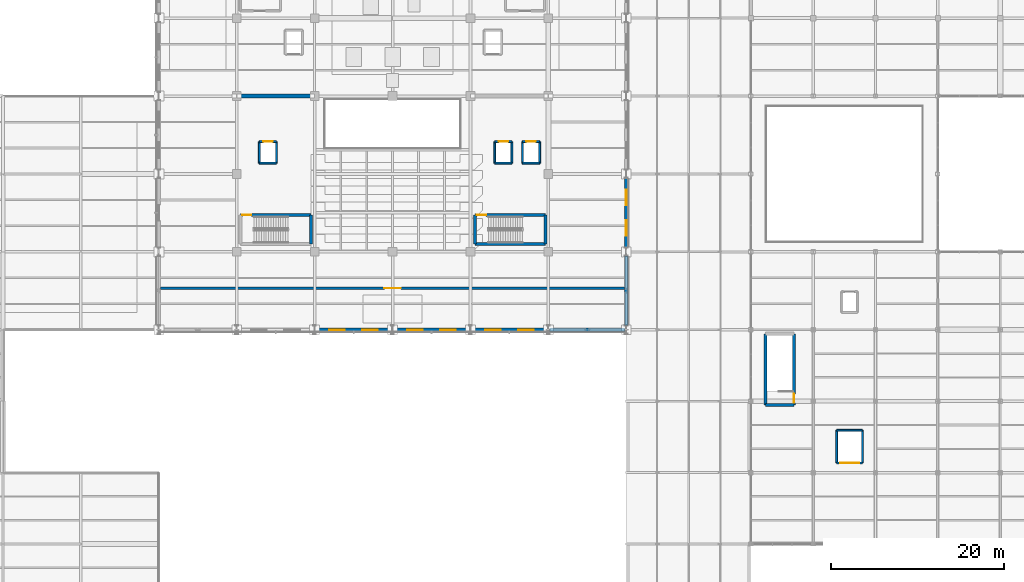
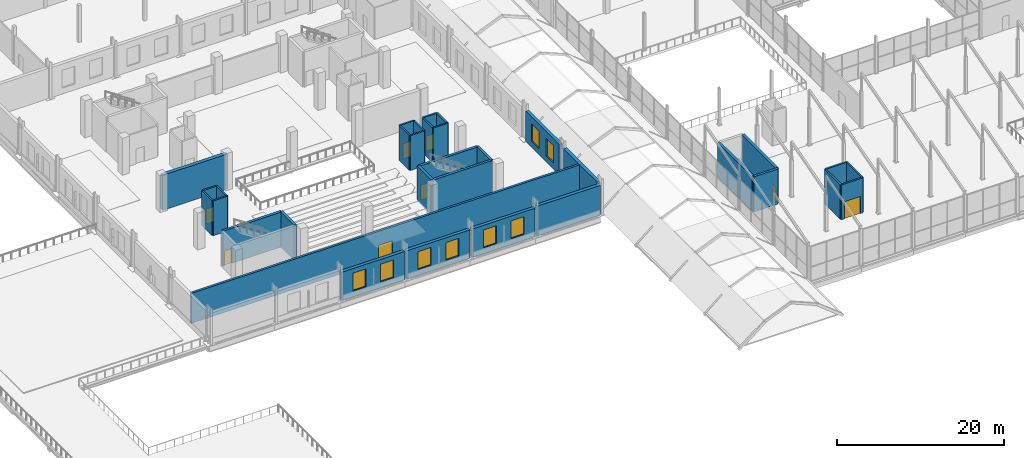
# One storey, part 117 of 141: 33 walls, 8 doors, 8 windows, 16 openings.
"""IFC4 building model written with IfcOpenShell, lengths in metres."""

import ifcopenshell
import ifcopenshell.guid

model = None  # the IFC model being written
_history = None  # IfcOwnerHistory: only IFC2X3 demands one
_inside = {}  # id of a spatial element -> (the spatial element, [elements in it])
_under = {}  # id of a project, library or spatial element -> (it, [spatial elements below it])
_declared = {}  # id of a project -> (the project, [libraries it declares])
_typed = {}  # id of a type object -> (the type object, [elements of that type])
_made_of = {}  # id of a material, layer set ... -> (it, [elements and type objects made of it])


def new_model(schema):
    """Start an empty IFC model of exactly this schema.

    Asked for "IFC4X3", IfcOpenShell would pick the latest addendum, in which some entities
    have other attributes; the version numbers below select the first issue.
    IFC2X3 requires an IfcOwnerHistory on every rooted entity: one is made here for all.
    """
    global model, _history
    if schema == "IFC4X3":
        model = ifcopenshell.file(schema_version=(4, 3, 0, 0))
    else:
        model = ifcopenshell.file(schema=schema)
    _inside.clear()
    _under.clear()
    _declared.clear()
    _typed.clear()
    _made_of.clear()
    _history = None
    if model.schema == "IFC2X3":
        org = make("IfcOrganization", Name="unknown")
        user = make(
            "IfcPersonAndOrganization",
            ThePerson=make("IfcPerson", FamilyName="unknown"),
            TheOrganization=org,
        )
        app = make(
            "IfcApplication",
            ApplicationDeveloper=org,
            Version="unknown",
            ApplicationFullName="unknown",
            ApplicationIdentifier="unknown",
        )
        _history = make(
            "IfcOwnerHistory",
            OwningUser=user,
            OwningApplication=app,
            ChangeAction="ADDED",
            CreationDate=0,
        )
    return model


def make(cls, **values):
    """One entity of the class cls with the attributes given. An attribute that is None is left unset."""
    return model.create_entity(
        cls, **{name: value for name, value in values.items() if value is not None}
    )


def rooted(cls, **values):
    """An entity with a GlobalId (a new one), such as an element, a storey or a relation."""
    return make(cls, GlobalId=ifcopenshell.guid.new(), OwnerHistory=_history, **values)


def si_unit(unit_type, name, prefix=None):
    """IfcSIUnit, for example si_unit("LENGTHUNIT", "METRE", prefix="MILLI")."""
    return make("IfcSIUnit", UnitType=unit_type, Prefix=prefix, Name=name)


def assignment(units):
    """IfcUnitAssignment: the units of a project."""
    return None if units is None else make("IfcUnitAssignment", Units=units)


def point(xyz):
    """IfcCartesianPoint."""
    return None if xyz is None else make("IfcCartesianPoint", Coordinates=xyz)


def direction(xyz):
    """IfcDirection."""
    return None if xyz is None else make("IfcDirection", DirectionRatios=xyz)


def frame(location, z_axis=None, x_axis=None):
    """IfcAxis2Placement3D, a coordinate frame: its origin and axes. An axis left out is left unset."""
    return make(
        "IfcAxis2Placement3D",
        Location=point(location),
        Axis=direction(z_axis),
        RefDirection=direction(x_axis),
    )


def frame_2d(location, x_axis=None):
    """IfcAxis2Placement2D, a coordinate frame in the plane: its origin and x axis."""
    return make(
        "IfcAxis2Placement2D", Location=point(location), RefDirection=direction(x_axis)
    )


def origin():
    """The frame at (0, 0, 0) with its axes left unset."""
    return frame((0.0, 0.0, 0.0))


def place(relative_to, where):
    """IfcLocalPlacement: puts the frame where relative to a parent placement (None: the world)."""
    return make(
        "IfcLocalPlacement", PlacementRelTo=relative_to, RelativePlacement=where
    )


def context(
    kind, dimensions, precision=None, world=None, true_north=None, identifier=None
):
    """IfcGeometricRepresentationContext, for example the 3D "Model" context."""
    return make(
        "IfcGeometricRepresentationContext",
        ContextIdentifier=identifier,
        ContextType=kind,
        CoordinateSpaceDimension=dimensions,
        Precision=precision,
        WorldCoordinateSystem=world,
        TrueNorth=true_north,
    )


def subcontext(parent, identifier, kind, view, scale=None):
    """IfcGeometricRepresentationSubContext, for example "Body" below "Model"."""
    return make(
        "IfcGeometricRepresentationSubContext",
        ContextIdentifier=identifier,
        ContextType=kind,
        ParentContext=parent,
        TargetScale=scale,
        TargetView=view,
    )


def project(units=None, contexts=None):
    """IfcProject with its units and contexts."""
    return rooted(
        "IfcProject",
        Name="project",
        RepresentationContexts=contexts,
        UnitsInContext=assignment(units),
    )


def spatial(cls, under=None, at=None, **own):
    """A site, building, storey or space (cls), placed at a placement, below another one or the project."""
    s = rooted(cls, ObjectPlacement=at, **own)
    if under is not None:
        _under.setdefault(under.id(), (under, []))[1].append(s)
    return s


def profile(cls, at=None, kind="AREA", **sizes):
    """A parametric profile (cls). Its sizes go by their IFC names, for example OverallWidth=200.0."""
    return make(cls, ProfileType=kind, Position=at, **sizes)


def rectangle(**sizes):
    """IfcRectangleProfileDef."""
    return profile("IfcRectangleProfileDef", **sizes)


def extrude(swept, where, along, depth):
    """IfcExtrudedAreaSolid: the profile swept, set in the frame where, extruded along a direction by depth."""
    return make(
        "IfcExtrudedAreaSolid",
        SweptArea=swept,
        Position=where,
        ExtrudedDirection=direction(along),
        Depth=depth,
    )


def shape(context_of_items, identifier, shape_type, items):
    """IfcShapeRepresentation: the items that make up one representation, for example the "Body"."""
    return make(
        "IfcShapeRepresentation",
        ContextOfItems=context_of_items,
        RepresentationIdentifier=identifier,
        RepresentationType=shape_type,
        Items=items,
    )


def material(Name=None, Category=None):
    """IfcMaterial."""
    return make("IfcMaterial", Name=Name, Category=Category)


def layer(
    of_material, thickness, ventilated=None, Name=None, Category=None, Priority=None
):
    """IfcMaterialLayer: one layer of a wall or slab, of a material (None: an air gap)."""
    return make(
        "IfcMaterialLayer",
        Material=of_material,
        LayerThickness=thickness,
        IsVentilated=ventilated,
        Name=Name,
        Category=Category,
        Priority=Priority,
    )


def layer_set(layers, Name=None):
    """IfcMaterialLayerSet."""
    return make("IfcMaterialLayerSet", MaterialLayers=layers, LayerSetName=Name)


def made_of(thing, what):
    """Note that an element or type object is made of a material, layer set ...; save() writes the relation."""
    if what is not None:
        _made_of.setdefault(what.id(), (what, []))[1].append(thing)
    return thing


def type_object(cls, material=None, **own):
    """A type object (cls), such as IfcWallType, which elements share."""
    return made_of(rooted(cls, **own), material)


def element(
    cls,
    number,
    at=None,
    inside=None,
    cuts=None,
    type_object=None,
    material=None,
    context=None,
    identifier="Body",
    shape_type=None,
    held_by="IfcProductDefinitionShape",
    body=None,
    shapes=None,
    **own,
):
    """One element of the class cls, such as IfcWall. Its Tag is "e" and its number.

    at: its placement. inside: the storey or other place that contains it. cuts: it is an
    opening in that element (IfcRelVoidsElement). A single representation is given by context,
    identifier, shape_type and body (its items); several are given by shapes. held_by: the class
    of the entity that holds the representations. save() writes the other relations.
    """
    e = rooted(cls, Tag="e%d" % number, ObjectPlacement=at, **own)
    if body is not None:
        shapes = [shape(context, identifier, shape_type, body)]
    if shapes is not None:
        e.Representation = make(held_by, Representations=shapes)
    if inside is not None:
        _inside.setdefault(inside.id(), (inside, []))[1].append(e)
    if cuts is not None:
        rooted(
            "IfcRelVoidsElement", RelatingBuildingElement=cuts, RelatedOpeningElement=e
        )
    if type_object is not None:
        _typed.setdefault(type_object.id(), (type_object, []))[1].append(e)
    return made_of(e, material)


def fill(opening, filler):
    """IfcRelFillsElement: the door or window that sits in an opening."""
    return rooted(
        "IfcRelFillsElement",
        RelatingOpeningElement=opening,
        RelatedBuildingElement=filler,
    )


def aggregate(whole, parts):
    """IfcRelAggregates: a whole, such as a stair, and the parts it consists of."""
    return rooted("IfcRelAggregates", RelatingObject=whole, RelatedObjects=parts)


def save(model, path):
    """Write the relations noted so far, then the file.

    IfcRelAggregates (storeys below a building ...), IfcRelContainedInSpatialStructure (elements
    in a storey), IfcRelDefinesByType, IfcRelAssociatesMaterial and IfcRelDeclares: one each for
    every whole, place, type object, material and project.
    """
    for whole, parts in _under.values():
        aggregate(whole, parts)
    for where, things in _inside.values():
        rooted(
            "IfcRelContainedInSpatialStructure",
            RelatedElements=things,
            RelatingStructure=where,
        )
    for kind, things in _typed.values():
        rooted("IfcRelDefinesByType", RelatedObjects=things, RelatingType=kind)
    for what, things in _made_of.values():
        rooted("IfcRelAssociatesMaterial", RelatedObjects=things, RelatingMaterial=what)
    for by, libraries in _declared.values():
        rooted("IfcRelDeclares", RelatingContext=by, RelatedDefinitions=libraries)
    model.write(path)


model = new_model("IFC4")

# Units and contexts
model_context = context("Model", 3, precision=1e-05, world=origin(), true_north=direction((0.0, 1.0)))
body_context = subcontext(model_context, "Body", "Model", "MODEL_VIEW")
ifc_project = project(units=[si_unit("LENGTHUNIT", "METRE"), si_unit("AREAUNIT", "SQUARE_METRE"), si_unit("VOLUMEUNIT", "CUBIC_METRE"), si_unit("PLANEANGLEUNIT", "RADIAN"), si_unit("MASSUNIT", "GRAM", prefix="KILO")], contexts=[model_context])

# Site, building, storey
site_placement = place(None, origin())
site = spatial("IfcSite", under=ifc_project, at=site_placement, CompositionType="ELEMENT")
building_placement = place(site_placement, origin())
building = spatial("IfcBuilding", under=site, at=building_placement, Name="Sundgate Opera House", CompositionType="ELEMENT")
storey_placement = place(building_placement, frame((0.0, 0.0, 11.39990234375)))
storey = spatial("IfcBuildingStorey", under=building, at=storey_placement, Name="L02", CompositionType="ELEMENT", Elevation=11.39990234375)

# Wall, opening, door
ifc_material_1 = material(Name="Concrete C40/50", Category="concrete")
ifc_layer_1 = layer(ifc_material_1, 0.35009765625)
ifc_layer_set_1 = layer_set([ifc_layer_1], Name="Concrete C40/50")
wall_type_1 = type_object("IfcWallType", Name="WL-CORE-350", PredefinedType="SHEAR", material=ifc_layer_set_1)
wall_1_placement = place(storey_placement, frame((36.409912109375, 46.239990234375, 0.0), z_axis=(0.0, 0.0, 1.0), x_axis=(1.0, 0.0, 0.0)))
wall_1 = element("IfcWall", 1, at=wall_1_placement, inside=storey, type_object=wall_type_1, Name="L02 C1 North Shaft Wall", PredefinedType="SHEAR", context=body_context, shape_type="SweptSolid", body=[
    extrude(rectangle(XDim=8.18017578125, YDim=0.35009765625, at=frame_2d((4.090087890625, 0.0))), origin(), (0.0, 0.0, 1.0), 5.1201171875),
])
opening_1_placement = place(wall_1_placement, frame((0.239990234375, 0.0, 0.0)))
opening_1 = element("IfcOpeningElement", 2, at=opening_1_placement, cuts=wall_1, Name="Opening DI01", PredefinedType="OPENING", context=body_context, shape_type="SweptSolid", body=[
    extrude(rectangle(XDim=1.050048828125, YDim=2.179931640625, at=frame_2d((0.52490234375, 1.08984375))), frame((0.0, 0.18505859375, 0.0), z_axis=(0.0, -1.0, 0.0), x_axis=(1.0, 0.0, 0.0)), (0.0, 0.0, 1.0), 0.3701171875),
])
ifc_material_2 = material(Name="Acoustic hardwood timber and steel core", Category="steel")
door_type_1 = type_object("IfcDoorType", Name="DR-STAIR-1050x2180", OperationType="NOTDEFINED", PredefinedType="DOOR", material=ifc_material_2)
door_1_placement = place(opening_1_placement, origin())
door_1 = element("IfcDoor", 3, at=door_1_placement, inside=storey, type_object=door_type_1, Name="L02 C1 Stair Door D0028", OperationType="SINGLE_SWING_RIGHT", OverallHeight=2.179931640625, OverallWidth=1.050048828125, PredefinedType="DOOR", context=body_context, shape_type="SweptSolid", body=[
    extrude(rectangle(XDim=1.050048828125, YDim=2.179931640625, at=frame_2d((0.52490234375, 1.08984375))), frame((0.0, 0.02490234375, 0.0), z_axis=(0.0, -1.0, 0.0), x_axis=(1.0, 0.0, 0.0)), (0.0, 0.0, 1.0), 0.050048828125),
])
fill(opening_1, door_1)

# Walls
wall_2_placement = place(storey_placement, frame((44.590087890625, 42.909912109375, 0.0), z_axis=(0.0, 0.0, 1.0), x_axis=(0.0, 1.0, 0.0)))
element("IfcWall", 4, at=wall_2_placement, inside=storey, type_object=wall_type_1, Name="L02 C1 East Shaft Wall", PredefinedType="SHEAR", context=body_context, shape_type="SweptSolid", body=[
    extrude(rectangle(XDim=3.330078125, YDim=0.35009765625, at=frame_2d((1.6650390625, 0.0))), origin(), (0.0, 0.0, 1.0), 5.1201171875),
])
wall_3_placement = place(storey_placement, frame((63.510009765625, 42.909912109375, 0.0), z_axis=(0.0, 0.0, 1.0), x_axis=(1.0, 0.0, 0.0)))
element("IfcWall", 5, at=wall_3_placement, inside=storey, type_object=wall_type_1, Name="L02 C3 South Shaft Wall", PredefinedType="SHEAR", context=body_context, shape_type="SweptSolid", body=[
    extrude(rectangle(XDim=8.179931640625, YDim=0.35009765625, at=frame_2d((4.08984375, 0.0))), origin(), (0.0, 0.0, 1.0), 5.1201171875),
])

# Wall, opening, door
wall_4_placement = place(storey_placement, frame((63.510009765625, 46.239990234375, 0.0), z_axis=(0.0, 0.0, 1.0), x_axis=(1.0, 0.0, 0.0)))
wall_4 = element("IfcWall", 6, at=wall_4_placement, inside=storey, type_object=wall_type_1, Name="L02 C3 North Shaft Wall", PredefinedType="SHEAR", context=body_context, shape_type="SweptSolid", body=[
    extrude(rectangle(XDim=8.179931640625, YDim=0.35009765625, at=frame_2d((4.08984375, 0.0))), origin(), (0.0, 0.0, 1.0), 5.1201171875),
])
opening_2_placement = place(wall_4_placement, frame((0.239990234375, 0.0, 0.0)))
opening_2 = element("IfcOpeningElement", 7, at=opening_2_placement, cuts=wall_4, Name="Opening DI01", PredefinedType="OPENING", context=body_context, shape_type="SweptSolid", body=[
    extrude(rectangle(XDim=1.050048828125, YDim=2.179931640625, at=frame_2d((0.52490234375, 1.08984375))), frame((0.0, 0.18505859375, 0.0), z_axis=(0.0, -1.0, 0.0), x_axis=(1.0, 0.0, 0.0)), (0.0, 0.0, 1.0), 0.3701171875),
])
door_2_placement = place(opening_2_placement, origin())
door_2 = element("IfcDoor", 8, at=door_2_placement, inside=storey, type_object=door_type_1, Name="L02 C3 Stair Door D0051", OperationType="SINGLE_SWING_LEFT", OverallHeight=2.179931640625, OverallWidth=1.050048828125, PredefinedType="DOOR", context=body_context, shape_type="SweptSolid", body=[
    extrude(rectangle(XDim=1.050048828125, YDim=2.179931640625, at=frame_2d((0.52490234375, 1.08984375))), frame((0.0, 0.02490234375, 0.0), z_axis=(0.0, -1.0, 0.0), x_axis=(1.0, 0.0, 0.0)), (0.0, 0.0, 1.0), 0.050048828125),
])
fill(opening_2, door_2)

# Walls
for number, where, z_axis, x_axis, name in (
    (9, (63.510009765625, 42.909912109375, 0.0), (0.0, 0.0, 1.0), (0.0, 1.0, 0.0), "L02 C3 West Shaft Wall"),
    (10, (71.68994140625, 42.909912109375, 0.0), (0.0, 0.0, 1.0), (0.0, 1.0, 0.0), "L02 C3 East Shaft Wall"),
):
    element("IfcWall", number, at=place(storey_placement, frame(where, z_axis=z_axis, x_axis=x_axis)), inside=storey, type_object=wall_type_1, Name=name, PredefinedType="SHEAR", context=body_context, shape_type="SweptSolid", body=[
        extrude(rectangle(XDim=3.330078125, YDim=0.35009765625, at=frame_2d((1.6650390625, 0.0))), origin(), (0.0, 0.0, 1.0), 5.1201171875),
    ])
wall_5_placement = place(storey_placement, frame((97.06005859375, 24.31005859375, 0.0), z_axis=(0.0, 0.0, 1.0), x_axis=(1.0, 0.0, 0.0)))
element("IfcWall", 11, at=wall_5_placement, inside=storey, type_object=wall_type_1, Name="L02 C7 South Shaft Wall", PredefinedType="SHEAR", context=body_context, shape_type="SweptSolid", body=[
    extrude(rectangle(XDim=3.329833984375, YDim=0.35009765625, at=frame_2d((1.6650390625, 0.0))), origin(), (0.0, 0.0, 1.0), 5.1201171875),
])
wall_6_placement = place(storey_placement, frame((97.06005859375, 24.31005859375, 0.0), z_axis=(0.0, 0.0, 1.0), x_axis=(0.0, 1.0, 0.0)))
element("IfcWall", 12, at=wall_6_placement, inside=storey, type_object=wall_type_1, Name="L02 C7 West Shaft Wall", PredefinedType="SHEAR", context=body_context, shape_type="SweptSolid", body=[
    extrude(rectangle(XDim=8.22998046875, YDim=0.35009765625, at=frame_2d((4.114990234375, 0.0))), origin(), (0.0, 0.0, 1.0), 5.1201171875),
])

# Wall, opening, door
wall_7_placement = place(storey_placement, frame((100.389892578125, 24.31005859375, 0.0), z_axis=(0.0, 0.0, 1.0), x_axis=(0.0, 1.0, 0.0)))
wall_7 = element("IfcWall", 13, at=wall_7_placement, inside=storey, type_object=wall_type_1, Name="L02 C7 East Shaft Wall", PredefinedType="SHEAR", context=body_context, shape_type="SweptSolid", body=[
    extrude(rectangle(XDim=8.22998046875, YDim=0.35009765625, at=frame_2d((4.114990234375, 0.0))), origin(), (0.0, 0.0, 1.0), 5.1201171875),
])
opening_3_placement = place(wall_7_placement, frame((0.239990234375, 0.0, 0.0)))
opening_3 = element("IfcOpeningElement", 14, at=opening_3_placement, cuts=wall_7, Name="Opening DI01", PredefinedType="OPENING", context=body_context, shape_type="SweptSolid", body=[
    extrude(rectangle(XDim=1.050048828125, YDim=2.179931640625, at=frame_2d((0.52490234375, 1.08984375))), frame((0.0, 0.18505859375, 0.0), z_axis=(0.0, -1.0, 0.0), x_axis=(1.0, 0.0, 0.0)), (0.0, 0.0, 1.0), 0.3701171875),
])
door_3_placement = place(opening_3_placement, origin())
door_3 = element("IfcDoor", 15, at=door_3_placement, inside=storey, type_object=door_type_1, Name="L02 C7 Stair Door D0086", OperationType="SINGLE_SWING_RIGHT", OverallHeight=2.179931640625, OverallWidth=1.050048828125, PredefinedType="DOOR", context=body_context, shape_type="SweptSolid", body=[
    extrude(rectangle(XDim=1.050048828125, YDim=2.179931640625, at=frame_2d((0.52490234375, 1.08984375))), frame((0.0, 0.02490234375, 0.0), z_axis=(0.0, -1.0, 0.0), x_axis=(1.0, 0.0, 0.0)), (0.0, 0.0, 1.0), 0.050048828125),
])
fill(opening_3, door_3)

# Wall, openings, windows
ifc_material_3 = material(Name="Komstad limestone ashlar masonry", Category="masonry")
ifc_layer_2 = layer(ifc_material_3, 0.43994140625)
ifc_layer_set_2 = layer_set([ifc_layer_2], Name="Komstad limestone ashlar masonry")
wall_type_2 = type_object("IfcWallType", Name="WL-EXT-LIME-440", PredefinedType="SOLIDWALL", material=ifc_layer_set_2)
wall_8_placement = place(storey_placement, frame((53.85498046875, 33.0, 0.0), z_axis=(0.0, 0.0, 1.0), x_axis=(-1.0, 0.0, 0.0)))
wall_8 = element("IfcWall", 16, at=wall_8_placement, inside=storey, type_object=wall_type_2, Name="L02 Lifted Cube South Relief Wall W0049", PredefinedType="SOLIDWALL", context=body_context, shape_type="SweptSolid", body=[
    extrude(rectangle(XDim=8.7099609375, YDim=0.43994140625, at=frame_2d((4.35498046875, 0.0))), origin(), (0.0, 0.0, 1.0), 4.135009765625),
])
opening_4_placement = place(wall_8_placement, frame((1.5390625, 0.0, 0.85009765625)))
opening_4 = element("IfcOpeningElement", 17, at=opening_4_placement, cuts=wall_8, Name="Opening W01", PredefinedType="OPENING", context=body_context, shape_type="SweptSolid", body=[
    extrude(rectangle(XDim=1.800048828125, YDim=2.60009765625, at=frame_2d((0.89990234375, 1.300048828125))), frame((0.0, 0.22998046875, 0.0), z_axis=(0.0, -1.0, 0.0), x_axis=(1.0, 0.0, 0.0)), (0.0, 0.0, 1.0), 0.4599609375),
])
opening_5_placement = place(wall_8_placement, frame((5.37109375, 0.0, 0.85009765625)))
opening_5 = element("IfcOpeningElement", 18, at=opening_5_placement, cuts=wall_8, Name="Opening W01", PredefinedType="OPENING", context=body_context, shape_type="SweptSolid", body=[
    extrude(rectangle(XDim=1.800048828125, YDim=2.60009765625, at=frame_2d((0.89990234375, 1.300048828125))), frame((0.0, 0.22998046875, 0.0), z_axis=(0.0, -1.0, 0.0), x_axis=(1.0, 0.0, 0.0)), (0.0, 0.0, 1.0), 0.4599609375),
])
ifc_material_4 = material(Name="Low-iron triple glazing in patinated bronze frame", Category="glass")
window_type = type_object("IfcWindowType", Name="WN-CUBE-1800x2600", PartitioningType="SINGLE_PANEL", PredefinedType="WINDOW", material=ifc_material_4)
window_1_placement = place(opening_4_placement, origin())
window_1 = element("IfcWindow", 19, at=window_1_placement, inside=storey, type_object=window_type, Name="L02 Cube Loggia Window WN0005", OverallHeight=2.60009765625, OverallWidth=1.800048828125, PartitioningType="SINGLE_PANEL", PredefinedType="WINDOW", context=body_context, shape_type="SweptSolid", body=[
    extrude(rectangle(XDim=1.800048828125, YDim=2.60009765625, at=frame_2d((0.89990234375, 1.300048828125))), frame((0.0, 0.030029296875, 0.0), z_axis=(0.0, -1.0, 0.0), x_axis=(1.0, 0.0, 0.0)), (0.0, 0.0, 1.0), 0.06005859375),
])
fill(opening_4, window_1)
window_2_placement = place(opening_5_placement, origin())
window_2 = element("IfcWindow", 20, at=window_2_placement, inside=storey, type_object=window_type, Name="L02 Cube Loggia Window WN0006", OverallHeight=2.60009765625, OverallWidth=1.800048828125, PartitioningType="SINGLE_PANEL", PredefinedType="WINDOW", context=body_context, shape_type="SweptSolid", body=[
    extrude(rectangle(XDim=1.800048828125, YDim=2.60009765625, at=frame_2d((0.89990234375, 1.300048828125))), frame((0.0, 0.030029296875, 0.0), z_axis=(0.0, -1.0, 0.0), x_axis=(1.0, 0.0, 0.0)), (0.0, 0.0, 1.0), 0.06005859375),
])
fill(opening_5, window_2)

wall_9_placement = place(storey_placement, frame((62.85498046875, 33.0, 0.0), z_axis=(0.0, 0.0, 1.0), x_axis=(-1.0, 0.0, 0.0)))
wall_9 = element("IfcWall", 21, at=wall_9_placement, inside=storey, type_object=wall_type_2, Name="L02 Lifted Cube South Relief Wall W0051", PredefinedType="SOLIDWALL", context=body_context, shape_type="SweptSolid", body=[
    extrude(rectangle(XDim=8.7099609375, YDim=0.43994140625, at=frame_2d((4.35498046875, 0.0))), origin(), (0.0, 0.0, 1.0), 4.135009765625),
])
opening_6_placement = place(wall_9_placement, frame((1.5390625, 0.0, 0.85009765625)))
opening_6 = element("IfcOpeningElement", 22, at=opening_6_placement, cuts=wall_9, Name="Opening W01", PredefinedType="OPENING", context=body_context, shape_type="SweptSolid", body=[
    extrude(rectangle(XDim=1.800048828125, YDim=2.60009765625, at=frame_2d((0.89990234375, 1.300048828125))), frame((0.0, 0.22998046875, 0.0), z_axis=(0.0, -1.0, 0.0), x_axis=(1.0, 0.0, 0.0)), (0.0, 0.0, 1.0), 0.4599609375),
])
opening_7_placement = place(wall_9_placement, frame((5.37109375, 0.0, 0.85009765625)))
opening_7 = element("IfcOpeningElement", 23, at=opening_7_placement, cuts=wall_9, Name="Opening W01", PredefinedType="OPENING", context=body_context, shape_type="SweptSolid", body=[
    extrude(rectangle(XDim=1.800048828125, YDim=2.60009765625, at=frame_2d((0.89990234375, 1.300048828125))), frame((0.0, 0.22998046875, 0.0), z_axis=(0.0, -1.0, 0.0), x_axis=(1.0, 0.0, 0.0)), (0.0, 0.0, 1.0), 0.4599609375),
])
window_3_placement = place(opening_6_placement, origin())
window_3 = element("IfcWindow", 24, at=window_3_placement, inside=storey, type_object=window_type, Name="L02 Cube Loggia Window WN0009", OverallHeight=2.60009765625, OverallWidth=1.800048828125, PartitioningType="SINGLE_PANEL", PredefinedType="WINDOW", context=body_context, shape_type="SweptSolid", body=[
    extrude(rectangle(XDim=1.800048828125, YDim=2.60009765625, at=frame_2d((0.89990234375, 1.300048828125))), frame((0.0, 0.030029296875, 0.0), z_axis=(0.0, -1.0, 0.0), x_axis=(1.0, 0.0, 0.0)), (0.0, 0.0, 1.0), 0.06005859375),
])
fill(opening_6, window_3)
window_4_placement = place(opening_7_placement, origin())
window_4 = element("IfcWindow", 25, at=window_4_placement, inside=storey, type_object=window_type, Name="L02 Cube Loggia Window WN0010", OverallHeight=2.60009765625, OverallWidth=1.800048828125, PartitioningType="SINGLE_PANEL", PredefinedType="WINDOW", context=body_context, shape_type="SweptSolid", body=[
    extrude(rectangle(XDim=1.800048828125, YDim=2.60009765625, at=frame_2d((0.89990234375, 1.300048828125))), frame((0.0, 0.030029296875, 0.0), z_axis=(0.0, -1.0, 0.0), x_axis=(1.0, 0.0, 0.0)), (0.0, 0.0, 1.0), 0.06005859375),
])
fill(opening_7, window_4)

wall_10_placement = place(storey_placement, frame((71.85498046875, 33.0, 0.0), z_axis=(0.0, 0.0, 1.0), x_axis=(-1.0, 0.0, 0.0)))
wall_10 = element("IfcWall", 26, at=wall_10_placement, inside=storey, type_object=wall_type_2, Name="L02 Lifted Cube South Relief Wall W0053", PredefinedType="SOLIDWALL", context=body_context, shape_type="SweptSolid", body=[
    extrude(rectangle(XDim=8.7099609375, YDim=0.43994140625, at=frame_2d((4.35498046875, 0.0))), origin(), (0.0, 0.0, 1.0), 4.135009765625),
])
opening_8_placement = place(wall_10_placement, frame((1.5390625, 0.0, 0.85009765625)))
opening_8 = element("IfcOpeningElement", 27, at=opening_8_placement, cuts=wall_10, Name="Opening W01", PredefinedType="OPENING", context=body_context, shape_type="SweptSolid", body=[
    extrude(rectangle(XDim=1.800048828125, YDim=2.60009765625, at=frame_2d((0.89990234375, 1.300048828125))), frame((0.0, 0.22998046875, 0.0), z_axis=(0.0, -1.0, 0.0), x_axis=(1.0, 0.0, 0.0)), (0.0, 0.0, 1.0), 0.4599609375),
])
opening_9_placement = place(wall_10_placement, frame((5.37109375, 0.0, 0.85009765625)))
opening_9 = element("IfcOpeningElement", 28, at=opening_9_placement, cuts=wall_10, Name="Opening W01", PredefinedType="OPENING", context=body_context, shape_type="SweptSolid", body=[
    extrude(rectangle(XDim=1.800048828125, YDim=2.60009765625, at=frame_2d((0.89990234375, 1.300048828125))), frame((0.0, 0.22998046875, 0.0), z_axis=(0.0, -1.0, 0.0), x_axis=(1.0, 0.0, 0.0)), (0.0, 0.0, 1.0), 0.4599609375),
])
window_5_placement = place(opening_8_placement, origin())
window_5 = element("IfcWindow", 29, at=window_5_placement, inside=storey, type_object=window_type, Name="L02 Cube Loggia Window WN0013", OverallHeight=2.60009765625, OverallWidth=1.800048828125, PartitioningType="SINGLE_PANEL", PredefinedType="WINDOW", context=body_context, shape_type="SweptSolid", body=[
    extrude(rectangle(XDim=1.800048828125, YDim=2.60009765625, at=frame_2d((0.89990234375, 1.300048828125))), frame((0.0, 0.030029296875, 0.0), z_axis=(0.0, -1.0, 0.0), x_axis=(1.0, 0.0, 0.0)), (0.0, 0.0, 1.0), 0.06005859375),
])
fill(opening_8, window_5)
window_6_placement = place(opening_9_placement, origin())
window_6 = element("IfcWindow", 30, at=window_6_placement, inside=storey, type_object=window_type, Name="L02 Cube Loggia Window WN0014", OverallHeight=2.60009765625, OverallWidth=1.800048828125, PartitioningType="SINGLE_PANEL", PredefinedType="WINDOW", context=body_context, shape_type="SweptSolid", body=[
    extrude(rectangle(XDim=1.800048828125, YDim=2.60009765625, at=frame_2d((0.89990234375, 1.300048828125))), frame((0.0, 0.030029296875, 0.0), z_axis=(0.0, -1.0, 0.0), x_axis=(1.0, 0.0, 0.0)), (0.0, 0.0, 1.0), 0.06005859375),
])
fill(opening_9, window_6)

# Walls
wall_11_placement = place(storey_placement, frame((80.85498046875, 33.0, 0.0), z_axis=(0.0, 0.0, 1.0), x_axis=(-1.0, 0.0, 0.0)))
element("IfcWall", 31, at=wall_11_placement, inside=storey, type_object=wall_type_2, Name="L02 Lifted Cube South Relief Wall W0055", PredefinedType="SOLIDWALL", context=body_context, shape_type="SweptSolid", body=[
    extrude(rectangle(XDim=8.7099609375, YDim=0.43994140625, at=frame_2d((4.35498046875, 0.0))), origin(), (0.0, 0.0, 1.0), 4.335205078125),
])
wall_12_placement = place(storey_placement, frame((81.0, 33.4951171875, 0.0), z_axis=(0.0, 0.0, 1.0), x_axis=(0.0, 1.0, 0.0)))
element("IfcWall", 32, at=wall_12_placement, inside=storey, type_object=wall_type_2, Name="L02 Lifted Cube East Relief Wall W0058", PredefinedType="SOLIDWALL", context=body_context, shape_type="SweptSolid", body=[
    extrude(rectangle(XDim=8.009765625, YDim=0.43994140625, at=frame_2d((4.0048828125, 0.0))), origin(), (0.0, 0.0, 1.0), 4.43505859375),
])

# Wall, openings, windows
wall_13_placement = place(storey_placement, frame((81.0, 42.4951171875, 0.0), z_axis=(0.0, 0.0, 1.0), x_axis=(0.0, 1.0, 0.0)))
wall_13 = element("IfcWall", 33, at=wall_13_placement, inside=storey, type_object=wall_type_2, Name="L02 Lifted Cube East Relief Wall W0060", PredefinedType="SOLIDWALL", context=body_context, shape_type="SweptSolid", body=[
    extrude(rectangle(XDim=8.009765625, YDim=0.43994140625, at=frame_2d((4.0048828125, 0.0))), origin(), (0.0, 0.0, 1.0), 4.43505859375),
])
opening_10_placement = place(wall_13_placement, frame((1.343017578125, 0.0, 0.85009765625)))
opening_10 = element("IfcOpeningElement", 34, at=opening_10_placement, cuts=wall_13, Name="Opening W01", PredefinedType="OPENING", context=body_context, shape_type="SweptSolid", body=[
    extrude(rectangle(XDim=1.800048828125, YDim=2.60009765625, at=frame_2d((0.89990234375, 1.300048828125))), frame((0.0, 0.22998046875, 0.0), z_axis=(0.0, -1.0, 0.0), x_axis=(1.0, 0.0, 0.0)), (0.0, 0.0, 1.0), 0.4599609375),
])
opening_11_placement = place(wall_13_placement, frame((4.866943359375, 0.0, 0.85009765625)))
opening_11 = element("IfcOpeningElement", 35, at=opening_11_placement, cuts=wall_13, Name="Opening W01", PredefinedType="OPENING", context=body_context, shape_type="SweptSolid", body=[
    extrude(rectangle(XDim=1.800048828125, YDim=2.60009765625, at=frame_2d((0.89990234375, 1.300048828125))), frame((0.0, 0.22998046875, 0.0), z_axis=(0.0, -1.0, 0.0), x_axis=(1.0, 0.0, 0.0)), (0.0, 0.0, 1.0), 0.4599609375),
])
window_7_placement = place(opening_10_placement, origin())
window_7 = element("IfcWindow", 36, at=window_7_placement, inside=storey, type_object=window_type, Name="L02 Cube Loggia Window WN0017", OverallHeight=2.60009765625, OverallWidth=1.800048828125, PartitioningType="SINGLE_PANEL", PredefinedType="WINDOW", context=body_context, shape_type="SweptSolid", body=[
    extrude(rectangle(XDim=1.800048828125, YDim=2.60009765625, at=frame_2d((0.89990234375, 1.300048828125))), frame((0.0, 0.030029296875, 0.0), z_axis=(0.0, -1.0, 0.0), x_axis=(1.0, 0.0, 0.0)), (0.0, 0.0, 1.0), 0.06005859375),
])
fill(opening_10, window_7)
window_8_placement = place(opening_11_placement, origin())
window_8 = element("IfcWindow", 37, at=window_8_placement, inside=storey, type_object=window_type, Name="L02 Cube Loggia Window WN0018", OverallHeight=2.60009765625, OverallWidth=1.800048828125, PartitioningType="SINGLE_PANEL", PredefinedType="WINDOW", context=body_context, shape_type="SweptSolid", body=[
    extrude(rectangle(XDim=1.800048828125, YDim=2.60009765625, at=frame_2d((0.89990234375, 1.300048828125))), frame((0.0, 0.030029296875, 0.0), z_axis=(0.0, -1.0, 0.0), x_axis=(1.0, 0.0, 0.0)), (0.0, 0.0, 1.0), 0.06005859375),
])
fill(opening_11, window_8)

# Wall, opening, door
ifc_material_5 = material(Name="Double-leaf acoustic concrete blockwork C35/45", Category="masonry")
ifc_layer_3 = layer(ifc_material_5, 0.300048828125)
ifc_layer_set_3 = layer_set([ifc_layer_3], Name="Double-leaf acoustic concrete blockwork C35/45")
wall_type_3 = type_object("IfcWallType", Name="WL-INT-ACOUST-300", PredefinedType="PARTITIONING", material=ifc_layer_set_3)
wall_14_placement = place(storey_placement, frame((27.199951171875, 37.800048828125, 0.0), z_axis=(0.0, 0.0, 1.0), x_axis=(1.0, 0.0, 0.0)))
wall_14 = element("IfcWall", 38, at=wall_14_placement, inside=storey, type_object=wall_type_3, Name="L02 Interior Partition W1050", PredefinedType="PARTITIONING", context=body_context, shape_type="SweptSolid", body=[
    extrude(rectangle(XDim=53.60009765625, YDim=0.300048828125, at=frame_2d((26.800048828125, 0.0))), origin(), (0.0, 0.0, 1.0), 4.385009765625),
])
opening_12_placement = place(wall_14_placement, frame((25.85009765625, 0.0, 0.0)))
opening_12 = element("IfcOpeningElement", 39, at=opening_12_placement, cuts=wall_14, Name="Opening DI03", PredefinedType="OPENING", context=body_context, shape_type="SweptSolid", body=[
    extrude(rectangle(XDim=1.89990234375, YDim=2.35009765625, at=frame_2d((0.949951171875, 1.175048828125))), frame((0.0, 0.159912109375, 0.0), z_axis=(0.0, -1.0, 0.0), x_axis=(1.0, 0.0, 0.0)), (0.0, 0.0, 1.0), 0.320068359375),
])
ifc_material_6 = material(Name="Acoustic hardwood timber and steel core", Category="steel")
door_type_2 = type_object("IfcDoorType", Name="DR-AUD-1900x2350", OperationType="DOUBLE_DOOR_SINGLE_SWING", PredefinedType="DOOR", material=ifc_material_6)
door_4_placement = place(opening_12_placement, origin())
door_4 = element("IfcDoor", 40, at=door_4_placement, inside=storey, type_object=door_type_2, Name="L02 Interior Door D0214", OperationType="DOUBLE_DOOR_SINGLE_SWING", OverallHeight=2.35009765625, OverallWidth=1.89990234375, PredefinedType="DOOR", context=body_context, shape_type="SweptSolid", body=[
    extrude(rectangle(XDim=1.89990234375, YDim=2.35009765625, at=frame_2d((0.949951171875, 1.175048828125))), frame((0.0, 0.02490234375, 0.0), z_axis=(0.0, -1.0, 0.0), x_axis=(1.0, 0.0, 0.0)), (0.0, 0.0, 1.0), 0.050048828125),
])
fill(opening_12, door_4)

# Wall
ifc_material_7 = material(Name="Fire-rated gypsum and mineral-wool shaft partition", Category="gypsum")
ifc_layer_4 = layer(ifc_material_7, 0.219970703125)
ifc_layer_set_4 = layer_set([ifc_layer_4], Name="Fire-rated gypsum and mineral-wool shaft partition")
wall_type_4 = type_object("IfcWallType", Name="WL-INT-FIRE-220", PredefinedType="PARTITIONING", material=ifc_layer_set_4)
wall_15_placement = place(storey_placement, frame((65.81005859375, 52.260009765625, 0.0), z_axis=(0.0, 0.0, 1.0), x_axis=(1.0, 0.0, 0.0)))
element("IfcWall", 41, at=wall_15_placement, inside=storey, type_object=wall_type_4, Name="L02 LF-01 South Shaft Wall", PredefinedType="PARTITIONING", context=body_context, shape_type="SweptSolid", body=[
    extrude(rectangle(XDim=1.97998046875, YDim=0.219970703125, at=frame_2d((0.989990234375, 0.0))), origin(), (0.0, 0.0, 1.0), 5.085205078125),
])

# Wall, opening, door
wall_16_placement = place(storey_placement, frame((65.81005859375, 54.739990234375, 0.0), z_axis=(0.0, 0.0, 1.0), x_axis=(1.0, 0.0, 0.0)))
wall_16 = element("IfcWall", 42, at=wall_16_placement, inside=storey, type_object=wall_type_4, Name="L02 LF-01 North Shaft Wall", PredefinedType="PARTITIONING", context=body_context, shape_type="SweptSolid", body=[
    extrude(rectangle(XDim=1.97998046875, YDim=0.219970703125, at=frame_2d((0.989990234375, 0.0))), origin(), (0.0, 0.0, 1.0), 5.085205078125),
])
opening_13_placement = place(wall_16_placement, frame((0.43994140625, 0.0, 0.0)))
opening_13 = element("IfcOpeningElement", 43, at=opening_13_placement, cuts=wall_16, Name="Opening LD1", PredefinedType="OPENING", context=body_context, shape_type="SweptSolid", body=[
    extrude(rectangle(XDim=1.10009765625, YDim=2.179931640625, at=frame_2d((0.550048828125, 1.08984375))), frame((0.0, 0.119873046875, 0.0), z_axis=(0.0, -1.0, 0.0), x_axis=(1.0, 0.0, 0.0)), (0.0, 0.0, 1.0), 0.239990234375),
])
ifc_material_8 = material(Name="Brushed stainless steel EN 1.4301", Category="steel")
door_type_3 = type_object("IfcDoorType", Name="DR-LIFT-1100x2180", OperationType="DOUBLE_DOOR_SLIDING", PredefinedType="DOOR", material=ifc_material_8)
door_5_placement = place(opening_13_placement, origin())
door_5 = element("IfcDoor", 44, at=door_5_placement, inside=storey, type_object=door_type_3, Name="L02 LF-01 Landing Door D0095", OperationType="DOUBLE_DOOR_SLIDING", OverallHeight=2.179931640625, OverallWidth=1.10009765625, PredefinedType="DOOR", context=body_context, shape_type="SweptSolid", body=[
    extrude(rectangle(XDim=1.10009765625, YDim=2.179931640625, at=frame_2d((0.550048828125, 1.08984375))), frame((0.0, 0.02490234375, 0.0), z_axis=(0.0, -1.0, 0.0), x_axis=(1.0, 0.0, 0.0)), (0.0, 0.0, 1.0), 0.050048828125),
])
fill(opening_13, door_5)

# Walls
for number, where, z_axis, x_axis, name in (
    (45, (65.81005859375, 52.260009765625, 0.0), (0.0, 0.0, 1.0), (0.0, 1.0, 0.0), "L02 LF-01 West Shaft Wall"),
    (46, (67.7900390625, 52.260009765625, 0.0), (0.0, 0.0, 1.0), (0.0, 1.0, 0.0), "L02 LF-01 East Shaft Wall"),
):
    element("IfcWall", number, at=place(storey_placement, frame(where, z_axis=z_axis, x_axis=x_axis)), inside=storey, type_object=wall_type_4, Name=name, PredefinedType="PARTITIONING", context=body_context, shape_type="SweptSolid", body=[
        extrude(rectangle(XDim=2.47998046875, YDim=0.219970703125, at=frame_2d((1.239990234375, 0.0))), origin(), (0.0, 0.0, 1.0), 5.085205078125),
    ])
wall_17_placement = place(storey_placement, frame((69.010009765625, 52.260009765625, 0.0), z_axis=(0.0, 0.0, 1.0), x_axis=(1.0, 0.0, 0.0)))
element("IfcWall", 47, at=wall_17_placement, inside=storey, type_object=wall_type_4, Name="L02 LF-02 South Shaft Wall", PredefinedType="PARTITIONING", context=body_context, shape_type="SweptSolid", body=[
    extrude(rectangle(XDim=1.97998046875, YDim=0.219970703125, at=frame_2d((0.989990234375, 0.0))), origin(), (0.0, 0.0, 1.0), 5.085205078125),
])

# Wall, opening, door
wall_18_placement = place(storey_placement, frame((69.010009765625, 54.739990234375, 0.0), z_axis=(0.0, 0.0, 1.0), x_axis=(1.0, 0.0, 0.0)))
wall_18 = element("IfcWall", 48, at=wall_18_placement, inside=storey, type_object=wall_type_4, Name="L02 LF-02 North Shaft Wall", PredefinedType="PARTITIONING", context=body_context, shape_type="SweptSolid", body=[
    extrude(rectangle(XDim=1.97998046875, YDim=0.219970703125, at=frame_2d((0.989990234375, 0.0))), origin(), (0.0, 0.0, 1.0), 5.085205078125),
])
opening_14_placement = place(wall_18_placement, frame((0.43994140625, 0.0, 0.0)))
opening_14 = element("IfcOpeningElement", 49, at=opening_14_placement, cuts=wall_18, Name="Opening LD1", PredefinedType="OPENING", context=body_context, shape_type="SweptSolid", body=[
    extrude(rectangle(XDim=1.10009765625, YDim=2.179931640625, at=frame_2d((0.550048828125, 1.08984375))), frame((0.0, 0.119873046875, 0.0), z_axis=(0.0, -1.0, 0.0), x_axis=(1.0, 0.0, 0.0)), (0.0, 0.0, 1.0), 0.239990234375),
])
door_6_placement = place(opening_14_placement, origin())
door_6 = element("IfcDoor", 50, at=door_6_placement, inside=storey, type_object=door_type_3, Name="L02 LF-02 Landing Door D0102", OperationType="DOUBLE_DOOR_SLIDING", OverallHeight=2.179931640625, OverallWidth=1.10009765625, PredefinedType="DOOR", context=body_context, shape_type="SweptSolid", body=[
    extrude(rectangle(XDim=1.10009765625, YDim=2.179931640625, at=frame_2d((0.550048828125, 1.08984375))), frame((0.0, 0.02490234375, 0.0), z_axis=(0.0, -1.0, 0.0), x_axis=(1.0, 0.0, 0.0)), (0.0, 0.0, 1.0), 0.050048828125),
])
fill(opening_14, door_6)

# Walls
for number, where, z_axis, x_axis, name in (
    (51, (69.010009765625, 52.260009765625, 0.0), (0.0, 0.0, 1.0), (0.0, 1.0, 0.0), "L02 LF-02 West Shaft Wall"),
    (52, (70.989990234375, 52.260009765625, 0.0), (0.0, 0.0, 1.0), (0.0, 1.0, 0.0), "L02 LF-02 East Shaft Wall"),
):
    element("IfcWall", number, at=place(storey_placement, frame(where, z_axis=z_axis, x_axis=x_axis)), inside=storey, type_object=wall_type_4, Name=name, PredefinedType="PARTITIONING", context=body_context, shape_type="SweptSolid", body=[
        extrude(rectangle(XDim=2.47998046875, YDim=0.219970703125, at=frame_2d((1.239990234375, 0.0))), origin(), (0.0, 0.0, 1.0), 5.085205078125),
    ])
wall_19_placement = place(storey_placement, frame((38.610107421875, 52.260009765625, 0.0), z_axis=(0.0, 0.0, 1.0), x_axis=(1.0, 0.0, 0.0)))
element("IfcWall", 53, at=wall_19_placement, inside=storey, type_object=wall_type_4, Name="L02 LF-03 South Shaft Wall", PredefinedType="PARTITIONING", context=body_context, shape_type="SweptSolid", body=[
    extrude(rectangle(XDim=1.97998046875, YDim=0.219970703125, at=frame_2d((0.989990234375, 0.0))), origin(), (0.0, 0.0, 1.0), 5.085205078125),
])

# Wall, opening, door
wall_20_placement = place(storey_placement, frame((38.610107421875, 54.739990234375, 0.0), z_axis=(0.0, 0.0, 1.0), x_axis=(1.0, 0.0, 0.0)))
wall_20 = element("IfcWall", 54, at=wall_20_placement, inside=storey, type_object=wall_type_4, Name="L02 LF-03 North Shaft Wall", PredefinedType="PARTITIONING", context=body_context, shape_type="SweptSolid", body=[
    extrude(rectangle(XDim=1.97998046875, YDim=0.219970703125, at=frame_2d((0.989990234375, 0.0))), origin(), (0.0, 0.0, 1.0), 5.085205078125),
])
opening_15_placement = place(wall_20_placement, frame((0.43994140625, 0.0, 0.0)))
opening_15 = element("IfcOpeningElement", 55, at=opening_15_placement, cuts=wall_20, Name="Opening LD1", PredefinedType="OPENING", context=body_context, shape_type="SweptSolid", body=[
    extrude(rectangle(XDim=1.10009765625, YDim=2.179931640625, at=frame_2d((0.550048828125, 1.08984375))), frame((0.0, 0.119873046875, 0.0), z_axis=(0.0, -1.0, 0.0), x_axis=(1.0, 0.0, 0.0)), (0.0, 0.0, 1.0), 0.239990234375),
])
door_7_placement = place(opening_15_placement, origin())
door_7 = element("IfcDoor", 56, at=door_7_placement, inside=storey, type_object=door_type_3, Name="L02 LF-03 Landing Door D0109", OperationType="DOUBLE_DOOR_SLIDING", OverallHeight=2.179931640625, OverallWidth=1.10009765625, PredefinedType="DOOR", context=body_context, shape_type="SweptSolid", body=[
    extrude(rectangle(XDim=1.10009765625, YDim=2.179931640625, at=frame_2d((0.550048828125, 1.08984375))), frame((0.0, 0.02490234375, 0.0), z_axis=(0.0, -1.0, 0.0), x_axis=(1.0, 0.0, 0.0)), (0.0, 0.0, 1.0), 0.050048828125),
])
fill(opening_15, door_7)

# Walls
for number, where, z_axis, x_axis, name in (
    (57, (38.610107421875, 52.260009765625, 0.0), (0.0, 0.0, 1.0), (0.0, 1.0, 0.0), "L02 LF-03 West Shaft Wall"),
    (58, (40.590087890625, 52.260009765625, 0.0), (0.0, 0.0, 1.0), (0.0, 1.0, 0.0), "L02 LF-03 East Shaft Wall"),
):
    element("IfcWall", number, at=place(storey_placement, frame(where, z_axis=z_axis, x_axis=x_axis)), inside=storey, type_object=wall_type_4, Name=name, PredefinedType="PARTITIONING", context=body_context, shape_type="SweptSolid", body=[
        extrude(rectangle(XDim=2.47998046875, YDim=0.219970703125, at=frame_2d((1.239990234375, 0.0))), origin(), (0.0, 0.0, 1.0), 5.085205078125),
    ])

# Wall, opening, door
wall_21_placement = place(storey_placement, frame((105.31005859375, 17.610107421875, 0.0), z_axis=(0.0, 0.0, 1.0), x_axis=(1.0, 0.0, 0.0)))
wall_21 = element("IfcWall", 59, at=wall_21_placement, inside=storey, type_object=wall_type_4, Name="L02 GL-02 South Shaft Wall", PredefinedType="PARTITIONING", context=body_context, shape_type="SweptSolid", body=[
    extrude(rectangle(XDim=2.97998046875, YDim=0.219970703125, at=frame_2d((1.489990234375, 0.0))), origin(), (0.0, 0.0, 1.0), 5.085205078125),
])
opening_16_placement = place(wall_21_placement, frame((0.389892578125, 0.0, 0.0)))
opening_16 = element("IfcOpeningElement", 60, at=opening_16_placement, cuts=wall_21, Name="Opening LD3", PredefinedType="OPENING", context=body_context, shape_type="SweptSolid", body=[
    extrude(rectangle(XDim=2.199951171875, YDim=2.5, at=frame_2d((1.10009765625, 1.25))), frame((0.0, 0.119873046875, 0.0), z_axis=(0.0, -1.0, 0.0), x_axis=(1.0, 0.0, 0.0)), (0.0, 0.0, 1.0), 0.239990234375),
])
ifc_material_9 = material(Name="Brushed stainless steel EN 1.4301", Category="steel")
door_type_4 = type_object("IfcDoorType", Name="DR-LIFT-2200x2500", OperationType="DOUBLE_DOOR_SLIDING", PredefinedType="DOOR", material=ifc_material_9)
door_8_placement = place(opening_16_placement, origin())
door_8 = element("IfcDoor", 61, at=door_8_placement, inside=storey, type_object=door_type_4, Name="L02 GL-02 Landing Door D0152", OperationType="DOUBLE_DOOR_SLIDING", OverallHeight=2.5, OverallWidth=2.199951171875, PredefinedType="DOOR", context=body_context, shape_type="SweptSolid", body=[
    extrude(rectangle(XDim=2.199951171875, YDim=2.5, at=frame_2d((1.10009765625, 1.25))), frame((0.0, 0.02490234375, 0.0), z_axis=(0.0, -1.0, 0.0), x_axis=(1.0, 0.0, 0.0)), (0.0, 0.0, 1.0), 0.050048828125),
])
fill(opening_16, door_8)

# Walls
wall_22_placement = place(storey_placement, frame((105.31005859375, 21.389892578125, 0.0), z_axis=(0.0, 0.0, 1.0), x_axis=(1.0, 0.0, 0.0)))
element("IfcWall", 62, at=wall_22_placement, inside=storey, type_object=wall_type_4, Name="L02 GL-02 North Shaft Wall", PredefinedType="PARTITIONING", context=body_context, shape_type="SweptSolid", body=[
    extrude(rectangle(XDim=2.97998046875, YDim=0.219970703125, at=frame_2d((1.489990234375, 0.0))), origin(), (0.0, 0.0, 1.0), 5.085205078125),
])
for number, where, z_axis, x_axis, name in (
    (63, (105.31005859375, 17.610107421875, 0.0), (0.0, 0.0, 1.0), (0.0, 1.0, 0.0), "L02 GL-02 West Shaft Wall"),
    (64, (108.2900390625, 17.610107421875, 0.0), (0.0, 0.0, 1.0), (0.0, 1.0, 0.0), "L02 GL-02 East Shaft Wall"),
):
    element("IfcWall", number, at=place(storey_placement, frame(where, z_axis=z_axis, x_axis=x_axis)), inside=storey, type_object=wall_type_4, Name=name, PredefinedType="PARTITIONING", context=body_context, shape_type="SweptSolid", body=[
        extrude(rectangle(XDim=3.77978515625, YDim=0.219970703125, at=frame_2d((1.889892578125, 0.0))), origin(), (0.0, 0.0, 1.0), 5.085205078125),
    ])
ifc_material_10 = material(Name="Concrete C40/50", Category="concrete")
ifc_layer_5 = layer(ifc_material_10, 0.47998046875)
ifc_layer_set_5 = layer_set([ifc_layer_5], Name="Concrete C40/50")
wall_type_5 = type_object("IfcWallType", Name="WL-PROS-480", PredefinedType="SHEAR", material=ifc_layer_set_5)
wall_23_placement = place(storey_placement, frame((36.0, 60.0, 0.0), z_axis=(0.0, 0.0, 1.0), x_axis=(1.0, 0.0, 0.0)))
element("IfcWall", 65, at=wall_23_placement, inside=storey, type_object=wall_type_5, Name="L02 Proscenium Shear Wall W0014", PredefinedType="SHEAR", context=body_context, shape_type="SweptSolid", body=[
    extrude(rectangle(XDim=9.0, YDim=0.47998046875, at=frame_2d((4.5, 0.0))), origin(), (0.0, 0.0, 1.0), 5.1201171875),
])

save(model, "model.ifc")
